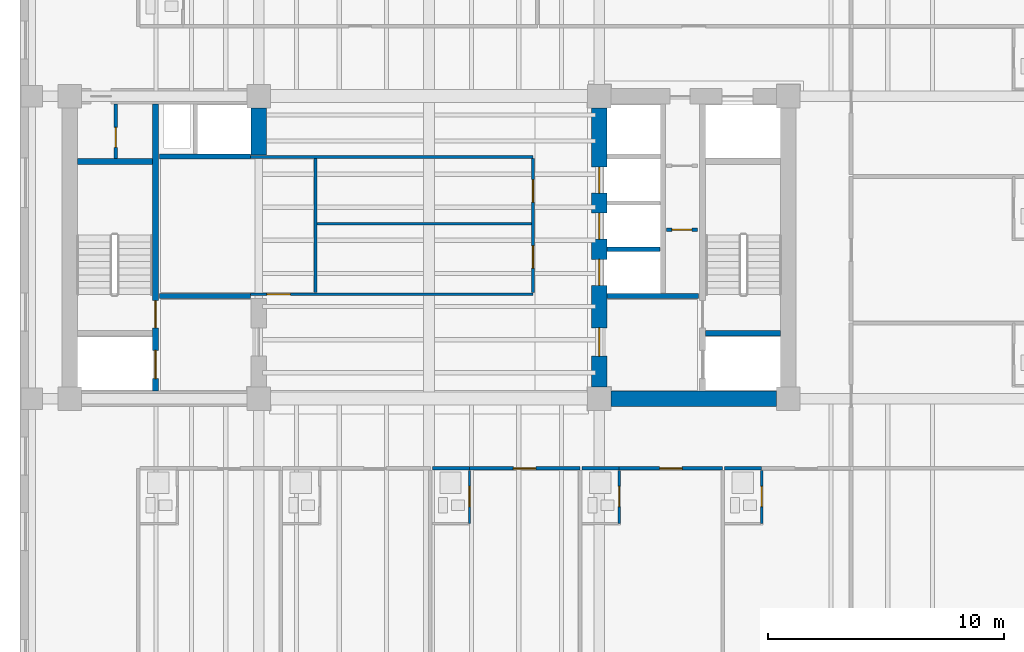
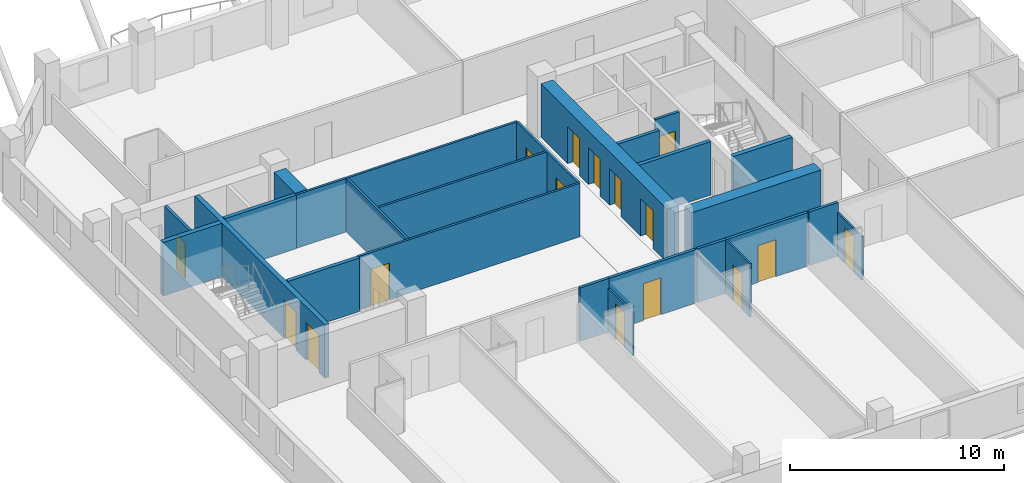
# One storey, part 6 of 12: 25 walls, 16 doors, 16 openings.
"""IFC4 building model written with IfcOpenShell, lengths in metres."""

from ifc_helpers import new_model, si_unit, direction, frame, frame_2d, origin, place, context, subcontext, project, spatial, rectangle, extrude, material, layer, layer_set, type_object, element, fill, save


model = new_model("IFC4")

# Units and contexts
model_context = context("Model", 3, precision=1e-05, world=origin(), true_north=direction((0.0, 1.0)))
body_context = subcontext(model_context, "Body", "Model", "MODEL_VIEW")
ifc_project = project(units=[si_unit("LENGTHUNIT", "METRE"), si_unit("AREAUNIT", "SQUARE_METRE"), si_unit("VOLUMEUNIT", "CUBIC_METRE"), si_unit("PLANEANGLEUNIT", "RADIAN"), si_unit("MASSUNIT", "GRAM", prefix="KILO")], contexts=[model_context])

# Site, building, storey
site_placement = place(None, origin())
site = spatial("IfcSite", under=ifc_project, at=site_placement, CompositionType="ELEMENT")
building_placement = place(site_placement, origin())
building = spatial("IfcBuilding", under=site, at=building_placement, Name="Kranthara Brick Stack", CompositionType="ELEMENT")
storey_placement = place(building_placement, frame((0.0, 0.0, 158.800048828125)))
storey = spatial("IfcBuildingStorey", under=building, at=storey_placement, Name="L40", CompositionType="ELEMENT", Elevation=158.800048828125)

# Wall, openings, doors
ifc_material_1 = material(Name="Concrete C50/60", Category="concrete")
ifc_layer_1 = layer(ifc_material_1, 0.25)
ifc_layer_set_1 = layer_set([ifc_layer_1], Name="Concrete C50/60")
wall_type_1 = type_object("IfcWallType", Name="WL-CORE-250", PredefinedType="SHEAR", material=ifc_layer_set_1)
wall_1_placement = place(storey_placement, frame((16.43505859375, 21.135009765625, 0.0), z_axis=(0.0, 0.0, 1.0), x_axis=(0.0, 1.0, 0.0)))
wall_1 = element("IfcWall", 1, at=wall_1_placement, inside=storey, type_object=wall_type_1, Name="L40 West Core Stair Bearing Spine Wall", PredefinedType="SHEAR", context=body_context, shape_type="SweptSolid", body=[
    extrude(rectangle(XDim=12.1298828125, YDim=0.25, at=frame_2d((6.06494140625, 0.0))), origin(), (0.0, 0.0, 1.0), 3.050048828125),
])
opening_1_placement = place(wall_1_placement, frame((0.514892578125, 0.0, 0.0)))
opening_1 = element("IfcOpeningElement", 2, at=opening_1_placement, cuts=wall_1, Name="Opening LD01", PredefinedType="OPENING", context=body_context, shape_type="SweptSolid", body=[
    extrude(rectangle(XDim=1.199951171875, YDim=2.14990234375, at=frame_2d((0.60009765625, 1.074951171875))), frame((0.0, 0.135009765625, 0.0), z_axis=(0.0, -1.0, 0.0), x_axis=(1.0, 0.0, 0.0)), (0.0, 0.0, 1.0), 0.27001953125),
])
opening_2_placement = place(wall_1_placement, frame((2.6650390625, 0.0, 0.0)))
opening_2 = element("IfcOpeningElement", 3, at=opening_2_placement, cuts=wall_1, Name="Opening D05", PredefinedType="OPENING", context=body_context, shape_type="SweptSolid", body=[
    extrude(rectangle(XDim=1.14990234375, YDim=2.14990234375, at=frame_2d((0.574951171875, 1.074951171875))), frame((0.0, 0.135009765625, 0.0), z_axis=(0.0, -1.0, 0.0), x_axis=(1.0, 0.0, 0.0)), (0.0, 0.0, 1.0), 0.27001953125),
])
ifc_material_2 = material(Name="Stainless steel sliding landing door", Category="steel")
door_type_1 = type_object("IfcDoorType", Name="DR-LD-FF1200", OperationType="DOUBLE_DOOR_SLIDING", PredefinedType="DOOR", material=ifc_material_2)
door_1_placement = place(opening_1_placement, origin())
door_1 = element("IfcDoor", 4, at=door_1_placement, inside=storey, type_object=door_type_1, Name="L40 Firefighting Lift FF-01 Landing Door", OperationType="DOUBLE_DOOR_SLIDING", OverallHeight=2.14990234375, OverallWidth=1.199951171875, PredefinedType="DOOR", context=body_context, shape_type="SweptSolid", body=[
    extrude(rectangle(XDim=1.199951171875, YDim=2.14990234375, at=frame_2d((0.60009765625, 1.074951171875))), frame((0.0, 0.02490234375, 0.0), z_axis=(0.0, -1.0, 0.0), x_axis=(1.0, 0.0, 0.0)), (0.0, 0.0, 1.0), 0.050048828125),
])
fill(opening_1, door_1)
ifc_material_3 = material(Name="Solid-core hardwood timber leaf in steel frame", Category="steel")
door_type_2 = type_object("IfcDoorType", Name="DR-ST-1150", OperationType="NOTDEFINED", PredefinedType="DOOR", material=ifc_material_3)
door_2_placement = place(opening_2_placement, origin())
door_2 = element("IfcDoor", 5, at=door_2_placement, inside=storey, type_object=door_type_2, Name="L40 Exit Stair ST01 Door", OperationType="SINGLE_SWING_RIGHT", OverallHeight=2.14990234375, OverallWidth=1.14990234375, PredefinedType="DOOR", context=body_context, shape_type="SweptSolid", body=[
    extrude(rectangle(XDim=1.14990234375, YDim=2.14990234375, at=frame_2d((0.574951171875, 1.074951171875))), frame((0.0, 0.02490234375, 0.0), z_axis=(0.0, -1.0, 0.0), x_axis=(1.0, 0.0, 0.0)), (0.0, 0.0, 1.0), 0.050048828125),
])
fill(opening_2, door_2)

# Walls
for number, where, z_axis, x_axis, name in (
    (6, (13.135009765625, 30.830078125, 0.0), (0.0, 0.0, 1.0), (1.0, 0.0, 0.0), "L40 West Stairwell Bearing Wall WST"),
    (7, (39.68994140625, 23.570068359375, 0.0), (0.0, 0.0, 1.0), (1.0, 0.0, 0.0), "L40 East Stairwell Bearing Wall EFF"),
):
    element("IfcWall", number, at=place(storey_placement, frame(where, z_axis=z_axis, x_axis=x_axis)), inside=storey, type_object=wall_type_1, Name=name, PredefinedType="SHEAR", context=body_context, shape_type="SweptSolid", body=[
        extrude(rectangle(XDim=3.175048828125, YDim=0.25, at=frame_2d((1.58740234375, 0.0))), origin(), (0.0, 0.0, 1.0), 3.050048828125),
    ])
ifc_material_4 = material(Name="Concrete C60/75", Category="concrete")
ifc_layer_2 = layer(ifc_material_4, 0.64990234375)
ifc_layer_set_2 = layer_set([ifc_layer_2], Name="Concrete C60/75")
wall_type_2 = type_object("IfcWallType", Name="WL-CORE-650", PredefinedType="SHEAR", material=ifc_layer_set_2)
wall_2_placement = place(storey_placement, frame((20.800048828125, 31.10009765625, 0.0), z_axis=(0.0, 0.0, 1.0), x_axis=(0.0, 1.0, 0.0)))
element("IfcWall", 8, at=wall_2_placement, inside=storey, type_object=wall_type_2, Name="L40 West Core High-Rise Lift Wall", PredefinedType="SHEAR", context=body_context, shape_type="SweptSolid", body=[
    extrude(rectangle(XDim=1.994873046875, YDim=0.64990234375, at=frame_2d((0.99755859375, 0.0))), origin(), (0.0, 0.0, 1.0), 3.050048828125),
])
wall_3_placement = place(storey_placement, frame((35.705078125, 20.800048828125, 0.0), z_axis=(0.0, 0.0, 1.0), x_axis=(1.0, 0.0, 0.0)))
element("IfcWall", 9, at=wall_3_placement, inside=storey, type_object=wall_type_2, Name="L40 East Core Shear Wall South", PredefinedType="SHEAR", context=body_context, shape_type="SweptSolid", body=[
    extrude(rectangle(XDim=6.989990234375, YDim=0.64990234375, at=frame_2d((3.4951171875, 0.0))), origin(), (0.0, 0.0, 1.0), 3.050048828125),
])

# Wall, openings, doors
wall_4_placement = place(storey_placement, frame((35.199951171875, 21.304931640625, 0.0), z_axis=(0.0, 0.0, 1.0), x_axis=(0.0, 1.0, 0.0)))
wall_4 = element("IfcWall", 10, at=wall_4_placement, inside=storey, type_object=wall_type_2, Name="L40 East Core Shear Wall West", PredefinedType="SHEAR", context=body_context, shape_type="SweptSolid", body=[
    extrude(rectangle(XDim=11.7900390625, YDim=0.64990234375, at=frame_2d((5.89501953125, 0.0))), origin(), (0.0, 0.0, 1.0), 3.050048828125),
])
opening_3_placement = place(wall_4_placement, frame((1.294921875, 0.0, 0.0)))
opening_3 = element("IfcOpeningElement", 11, at=opening_3_placement, cuts=wall_4, Name="Opening D06", PredefinedType="OPENING", context=body_context, shape_type="SweptSolid", body=[
    extrude(rectangle(XDim=1.199951171875, YDim=2.14990234375, at=frame_2d((0.60009765625, 1.074951171875))), frame((0.0, 0.3349609375, 0.0), z_axis=(0.0, -1.0, 0.0), x_axis=(1.0, 0.0, 0.0)), (0.0, 0.0, 1.0), 0.669921875),
])
opening_4_placement = place(wall_4_placement, frame((4.294921875, 0.0, 0.0)))
opening_4 = element("IfcOpeningElement", 12, at=opening_4_placement, cuts=wall_4, Name="Opening LD02", PredefinedType="OPENING", context=body_context, shape_type="SweptSolid", body=[
    extrude(rectangle(XDim=1.10009765625, YDim=2.10009765625, at=frame_2d((0.550048828125, 1.050048828125))), frame((0.0, 0.3349609375, 0.0), z_axis=(0.0, -1.0, 0.0), x_axis=(1.0, 0.0, 0.0)), (0.0, 0.0, 1.0), 0.669921875),
])
opening_5_placement = place(wall_4_placement, frame((6.2451171875, 0.0, 0.0)))
opening_5 = element("IfcOpeningElement", 13, at=opening_5_placement, cuts=wall_4, Name="Opening LD02", PredefinedType="OPENING", context=body_context, shape_type="SweptSolid", body=[
    extrude(rectangle(XDim=1.10009765625, YDim=2.10009765625, at=frame_2d((0.550048828125, 1.050048828125))), frame((0.0, 0.3349609375, 0.0), z_axis=(0.0, -1.0, 0.0), x_axis=(1.0, 0.0, 0.0)), (0.0, 0.0, 1.0), 0.669921875),
])
opening_6_placement = place(wall_4_placement, frame((8.195068359375, 0.0, 0.0)))
opening_6 = element("IfcOpeningElement", 14, at=opening_6_placement, cuts=wall_4, Name="Opening LD02", PredefinedType="OPENING", context=body_context, shape_type="SweptSolid", body=[
    extrude(rectangle(XDim=1.10009765625, YDim=2.10009765625, at=frame_2d((0.550048828125, 1.050048828125))), frame((0.0, 0.3349609375, 0.0), z_axis=(0.0, -1.0, 0.0), x_axis=(1.0, 0.0, 0.0)), (0.0, 0.0, 1.0), 0.669921875),
])
ifc_material_5 = material(Name="Solid-core hardwood timber leaf in steel frame", Category="steel")
door_type_3 = type_object("IfcDoorType", Name="DR-FFL-1200", OperationType="NOTDEFINED", PredefinedType="DOOR", material=ifc_material_5)
door_3_placement = place(opening_3_placement, origin())
door_3 = element("IfcDoor", 15, at=door_3_placement, inside=storey, type_object=door_type_3, Name="L40 East Firefighting Lobby Door", OperationType="SINGLE_SWING_RIGHT", OverallHeight=2.14990234375, OverallWidth=1.199951171875, PredefinedType="DOOR", context=body_context, shape_type="SweptSolid", body=[
    extrude(rectangle(XDim=1.199951171875, YDim=2.14990234375, at=frame_2d((0.60009765625, 1.074951171875))), frame((0.0, 0.02490234375, 0.0), z_axis=(0.0, -1.0, 0.0), x_axis=(1.0, 0.0, 0.0)), (0.0, 0.0, 1.0), 0.050048828125),
])
fill(opening_3, door_3)
ifc_material_6 = material(Name="Stainless steel sliding landing door", Category="steel")
door_type_4 = type_object("IfcDoorType", Name="DR-LD-PL1100", OperationType="DOUBLE_DOOR_SLIDING", PredefinedType="DOOR", material=ifc_material_6)
door_4_placement = place(opening_4_placement, origin())
door_4 = element("IfcDoor", 16, at=door_4_placement, inside=storey, type_object=door_type_4, Name="L40 PL-04 Lift Landing Door", OperationType="DOUBLE_DOOR_SLIDING", OverallHeight=2.10009765625, OverallWidth=1.10009765625, PredefinedType="DOOR", context=body_context, shape_type="SweptSolid", body=[
    extrude(rectangle(XDim=1.10009765625, YDim=2.10009765625, at=frame_2d((0.550048828125, 1.050048828125))), frame((0.0, 0.02490234375, 0.0), z_axis=(0.0, -1.0, 0.0), x_axis=(1.0, 0.0, 0.0)), (0.0, 0.0, 1.0), 0.050048828125),
])
fill(opening_4, door_4)
door_5_placement = place(opening_5_placement, origin())
door_5 = element("IfcDoor", 17, at=door_5_placement, inside=storey, type_object=door_type_4, Name="L40 PL-05 Lift Landing Door", OperationType="DOUBLE_DOOR_SLIDING", OverallHeight=2.10009765625, OverallWidth=1.10009765625, PredefinedType="DOOR", context=body_context, shape_type="SweptSolid", body=[
    extrude(rectangle(XDim=1.10009765625, YDim=2.10009765625, at=frame_2d((0.550048828125, 1.050048828125))), frame((0.0, 0.02490234375, 0.0), z_axis=(0.0, -1.0, 0.0), x_axis=(1.0, 0.0, 0.0)), (0.0, 0.0, 1.0), 0.050048828125),
])
fill(opening_5, door_5)
door_6_placement = place(opening_6_placement, origin())
door_6 = element("IfcDoor", 18, at=door_6_placement, inside=storey, type_object=door_type_4, Name="L40 PL-06 Lift Landing Door", OperationType="DOUBLE_DOOR_SLIDING", OverallHeight=2.10009765625, OverallWidth=1.10009765625, PredefinedType="DOOR", context=body_context, shape_type="SweptSolid", body=[
    extrude(rectangle(XDim=1.10009765625, YDim=2.10009765625, at=frame_2d((0.550048828125, 1.050048828125))), frame((0.0, 0.02490234375, 0.0), z_axis=(0.0, -1.0, 0.0), x_axis=(1.0, 0.0, 0.0)), (0.0, 0.0, 1.0), 0.050048828125),
])
fill(opening_6, door_6)

# Wall, opening, door
ifc_material_7 = material(Name="Moisture-resistant wet-room partition", Category="other")
ifc_layer_3 = layer(ifc_material_7, 0.10009765625)
ifc_layer_set_3 = layer_set([ifc_layer_3], Name="Moisture-resistant wet-room partition")
wall_type_3 = type_object("IfcWallType", Name="WL-PART-100", PredefinedType="PARTITIONING", material=ifc_layer_set_3)
wall_5_placement = place(storey_placement, frame((29.7109375, 15.52001953125, 0.0), z_axis=(0.0, 0.0, 1.0), x_axis=(0.0, 1.0, 0.0)))
wall_5 = element("IfcWall", 19, at=wall_5_placement, inside=storey, type_object=wall_type_3, Name="L40 Interior Partition 022", PredefinedType="PARTITIONING", context=body_context, shape_type="SweptSolid", body=[
    extrude(rectangle(XDim=2.25, YDim=0.10009765625, at=frame_2d((1.125, 0.0))), origin(), (0.0, 0.0, 1.0), 2.48486328125),
])
opening_7_placement = place(wall_5_placement, frame((0.719970703125, 0.0, 0.0)))
opening_7 = element("IfcOpeningElement", 20, at=opening_7_placement, cuts=wall_5, Name="Opening D17", PredefinedType="OPENING", context=body_context, shape_type="SweptSolid", body=[
    extrude(rectangle(XDim=0.85009765625, YDim=2.050048828125, at=frame_2d((0.425048828125, 1.02490234375))), frame((0.0, 0.06005859375, 0.0), z_axis=(0.0, -1.0, 0.0), x_axis=(1.0, 0.0, 0.0)), (0.0, 0.0, 1.0), 0.1201171875),
])
ifc_material_8 = material(Name="Solid-core hardwood timber leaf in steel frame", Category="steel")
door_type_5 = type_object("IfcDoorType", Name="DR-WET-850", OperationType="NOTDEFINED", PredefinedType="DOOR", material=ifc_material_8)
door_7_placement = place(opening_7_placement, origin())
door_7 = element("IfcDoor", 21, at=door_7_placement, inside=storey, type_object=door_type_5, Name="L40 Key 03 En-Suite Door 11", OperationType="SINGLE_SWING_LEFT", OverallHeight=2.050048828125, OverallWidth=0.85009765625, PredefinedType="DOOR", context=body_context, shape_type="SweptSolid", body=[
    extrude(rectangle(XDim=0.85009765625, YDim=2.050048828125, at=frame_2d((0.425048828125, 1.02490234375))), frame((0.0, 0.02490234375, 0.0), z_axis=(0.0, -1.0, 0.0), x_axis=(1.0, 0.0, 0.0)), (0.0, 0.0, 1.0), 0.050048828125),
])
fill(opening_7, door_7)

wall_6_placement = place(storey_placement, frame((36.04296875, 15.52001953125, 0.0), z_axis=(0.0, 0.0, 1.0), x_axis=(0.0, 1.0, 0.0)))
wall_6 = element("IfcWall", 22, at=wall_6_placement, inside=storey, type_object=wall_type_3, Name="L40 Interior Partition 027", PredefinedType="PARTITIONING", context=body_context, shape_type="SweptSolid", body=[
    extrude(rectangle(XDim=2.25, YDim=0.10009765625, at=frame_2d((1.125, 0.0))), origin(), (0.0, 0.0, 1.0), 3.050048828125),
])
opening_8_placement = place(wall_6_placement, frame((0.719970703125, 0.0, 0.0)))
opening_8 = element("IfcOpeningElement", 23, at=opening_8_placement, cuts=wall_6, Name="Opening D17", PredefinedType="OPENING", context=body_context, shape_type="SweptSolid", body=[
    extrude(rectangle(XDim=0.85009765625, YDim=2.050048828125, at=frame_2d((0.425048828125, 1.02490234375))), frame((0.0, 0.06005859375, 0.0), z_axis=(0.0, -1.0, 0.0), x_axis=(1.0, 0.0, 0.0)), (0.0, 0.0, 1.0), 0.1201171875),
])
door_8_placement = place(opening_8_placement, origin())
door_8 = element("IfcDoor", 24, at=door_8_placement, inside=storey, type_object=door_type_5, Name="L40 Key 04 En-Suite Door 13", OperationType="SINGLE_SWING_LEFT", OverallHeight=2.050048828125, OverallWidth=0.85009765625, PredefinedType="DOOR", context=body_context, shape_type="SweptSolid", body=[
    extrude(rectangle(XDim=0.85009765625, YDim=2.050048828125, at=frame_2d((0.425048828125, 1.02490234375))), frame((0.0, 0.02490234375, 0.0), z_axis=(0.0, -1.0, 0.0), x_axis=(1.0, 0.0, 0.0)), (0.0, 0.0, 1.0), 0.050048828125),
])
fill(opening_8, door_8)

wall_7_placement = place(storey_placement, frame((42.072998046875, 15.52001953125, 0.0), z_axis=(0.0, 0.0, 1.0), x_axis=(0.0, 1.0, 0.0)))
wall_7 = element("IfcWall", 25, at=wall_7_placement, inside=storey, type_object=wall_type_3, Name="L40 Interior Partition 032", PredefinedType="PARTITIONING", context=body_context, shape_type="SweptSolid", body=[
    extrude(rectangle(XDim=2.25, YDim=0.10009765625, at=frame_2d((1.125, 0.0))), origin(), (0.0, 0.0, 1.0), 2.48486328125),
])
opening_9_placement = place(wall_7_placement, frame((0.719970703125, 0.0, 0.0)))
opening_9 = element("IfcOpeningElement", 26, at=opening_9_placement, cuts=wall_7, Name="Opening D17", PredefinedType="OPENING", context=body_context, shape_type="SweptSolid", body=[
    extrude(rectangle(XDim=0.85009765625, YDim=2.050048828125, at=frame_2d((0.425048828125, 1.02490234375))), frame((0.0, 0.06005859375, 0.0), z_axis=(0.0, -1.0, 0.0), x_axis=(1.0, 0.0, 0.0)), (0.0, 0.0, 1.0), 0.1201171875),
])
door_9_placement = place(opening_9_placement, origin())
door_9 = element("IfcDoor", 27, at=door_9_placement, inside=storey, type_object=door_type_5, Name="L40 Key 05 En-Suite Door 15", OperationType="SINGLE_SWING_LEFT", OverallHeight=2.050048828125, OverallWidth=0.85009765625, PredefinedType="DOOR", context=body_context, shape_type="SweptSolid", body=[
    extrude(rectangle(XDim=0.85009765625, YDim=2.050048828125, at=frame_2d((0.425048828125, 1.02490234375))), frame((0.0, 0.02490234375, 0.0), z_axis=(0.0, -1.0, 0.0), x_axis=(1.0, 0.0, 0.0)), (0.0, 0.0, 1.0), 0.050048828125),
])
fill(opening_9, door_9)

ifc_material_9 = material(Name="Acoustic gypsum plasterboard partition", Category="other")
ifc_layer_4 = layer(ifc_material_9, 0.1201171875)
ifc_layer_set_4 = layer_set([ifc_layer_4], Name="Acoustic gypsum plasterboard partition")
wall_type_4 = type_object("IfcWallType", Name="WL-PART-120", PredefinedType="PARTITIONING", material=ifc_layer_set_4)
wall_8_placement = place(storey_placement, frame((20.4599609375, 25.219970703125, 0.0), z_axis=(0.0, 0.0, 1.0), x_axis=(1.0, 0.0, 0.0)))
wall_8 = element("IfcWall", 28, at=wall_8_placement, inside=storey, type_object=wall_type_4, Name="L40 Interior Partition 004", PredefinedType="PARTITIONING", context=body_context, shape_type="SweptSolid", body=[
    extrude(rectangle(XDim=11.93994140625, YDim=0.1201171875, at=frame_2d((5.969970703125, 0.0))), origin(), (0.0, 0.0, 1.0), 3.050048828125),
])
opening_10_placement = place(wall_8_placement, frame((0.679931640625, 0.0, 0.0)))
opening_10 = element("IfcOpeningElement", 29, at=opening_10_placement, cuts=wall_8, Name="Opening D13", PredefinedType="OPENING", context=body_context, shape_type="SweptSolid", body=[
    extrude(rectangle(XDim=1.0, YDim=2.10009765625, at=frame_2d((0.5, 1.050048828125))), frame((0.0, 0.070068359375, 0.0), z_axis=(0.0, -1.0, 0.0), x_axis=(1.0, 0.0, 0.0)), (0.0, 0.0, 1.0), 0.14013671875),
])
ifc_material_10 = material(Name="Solid-core hardwood timber leaf in steel frame", Category="steel")
door_type_6 = type_object("IfcDoorType", Name="DR-INT-1000", OperationType="NOTDEFINED", PredefinedType="DOOR", material=ifc_material_10)
door_10_placement = place(opening_10_placement, origin())
door_10 = element("IfcDoor", 30, at=door_10_placement, inside=storey, type_object=door_type_6, Name="L40 Hotel Study Door 04", OperationType="SINGLE_SWING_RIGHT", OverallHeight=2.10009765625, OverallWidth=1.0, PredefinedType="DOOR", context=body_context, shape_type="SweptSolid", body=[
    extrude(rectangle(XDim=1.0, YDim=2.10009765625, at=frame_2d((0.5, 1.050048828125))), frame((0.0, 0.02490234375, 0.0), z_axis=(0.0, -1.0, 0.0), x_axis=(1.0, 0.0, 0.0)), (0.0, 0.0, 1.0), 0.050048828125),
])
fill(opening_10, door_10)

# Wall
wall_9_placement = place(storey_placement, frame((20.4599609375, 31.02001953125, 0.0), z_axis=(0.0, 0.0, 1.0), x_axis=(1.0, 0.0, 0.0)))
element("IfcWall", 31, at=wall_9_placement, inside=storey, type_object=wall_type_4, Name="L40 Interior Partition 005", PredefinedType="PARTITIONING", context=body_context, shape_type="SweptSolid", body=[
    extrude(rectangle(XDim=11.93994140625, YDim=0.1201171875, at=frame_2d((5.969970703125, 0.0))), origin(), (0.0, 0.0, 1.0), 3.050048828125),
])

# Wall, openings, doors
wall_10_placement = place(storey_placement, frame((32.39990234375, 25.284912109375, 0.0), z_axis=(0.0, 0.0, 1.0), x_axis=(0.0, 1.0, 0.0)))
wall_10 = element("IfcWall", 32, at=wall_10_placement, inside=storey, type_object=wall_type_4, Name="L40 Interior Partition 006", PredefinedType="PARTITIONING", context=body_context, shape_type="SweptSolid", body=[
    extrude(rectangle(XDim=5.670166015625, YDim=0.1201171875, at=frame_2d((2.8349609375, 0.0))), origin(), (0.0, 0.0, 1.0), 3.050048828125),
])
opening_11_placement = place(wall_10_placement, frame((1.034912109375, 0.0, 0.0)))
opening_11 = element("IfcOpeningElement", 33, at=opening_11_placement, cuts=wall_10, Name="Opening D14", PredefinedType="OPENING", context=body_context, shape_type="SweptSolid", body=[
    extrude(rectangle(XDim=0.949951171875, YDim=2.10009765625, at=frame_2d((0.47509765625, 1.050048828125))), frame((0.0, 0.070068359375, 0.0), z_axis=(0.0, -1.0, 0.0), x_axis=(1.0, 0.0, 0.0)), (0.0, 0.0, 1.0), 0.14013671875),
])
opening_12_placement = place(wall_10_placement, frame((3.8349609375, 0.0, 0.0)))
opening_12 = element("IfcOpeningElement", 34, at=opening_12_placement, cuts=wall_10, Name="Opening D14", PredefinedType="OPENING", context=body_context, shape_type="SweptSolid", body=[
    extrude(rectangle(XDim=0.949951171875, YDim=2.10009765625, at=frame_2d((0.47509765625, 1.050048828125))), frame((0.0, 0.070068359375, 0.0), z_axis=(0.0, -1.0, 0.0), x_axis=(1.0, 0.0, 0.0)), (0.0, 0.0, 1.0), 0.14013671875),
])
ifc_material_11 = material(Name="Solid-core hardwood timber leaf in steel frame", Category="steel")
door_type_7 = type_object("IfcDoorType", Name="DR-INT-950", OperationType="NOTDEFINED", PredefinedType="DOOR", material=ifc_material_11)
door_11_placement = place(opening_11_placement, origin())
door_11 = element("IfcDoor", 35, at=door_11_placement, inside=storey, type_object=door_type_7, Name="L40 Housekeeping Linen Door 05", OperationType="SINGLE_SWING_LEFT", OverallHeight=2.10009765625, OverallWidth=0.949951171875, PredefinedType="DOOR", context=body_context, shape_type="SweptSolid", body=[
    extrude(rectangle(XDim=0.949951171875, YDim=2.10009765625, at=frame_2d((0.47509765625, 1.050048828125))), frame((0.0, 0.02490234375, 0.0), z_axis=(0.0, -1.0, 0.0), x_axis=(1.0, 0.0, 0.0)), (0.0, 0.0, 1.0), 0.050048828125),
])
fill(opening_11, door_11)
door_12_placement = place(opening_12_placement, origin())
door_12 = element("IfcDoor", 36, at=door_12_placement, inside=storey, type_object=door_type_7, Name="L40 Pantry Door 06", OperationType="SINGLE_SWING_RIGHT", OverallHeight=2.10009765625, OverallWidth=0.949951171875, PredefinedType="DOOR", context=body_context, shape_type="SweptSolid", body=[
    extrude(rectangle(XDim=0.949951171875, YDim=2.10009765625, at=frame_2d((0.47509765625, 1.050048828125))), frame((0.0, 0.02490234375, 0.0), z_axis=(0.0, -1.0, 0.0), x_axis=(1.0, 0.0, 0.0)), (0.0, 0.0, 1.0), 0.050048828125),
])
fill(opening_12, door_12)

# Walls
wall_11_placement = place(storey_placement, frame((23.199951171875, 25.284912109375, 0.0), z_axis=(0.0, 0.0, 1.0), x_axis=(0.0, 1.0, 0.0)))
element("IfcWall", 37, at=wall_11_placement, inside=storey, type_object=wall_type_4, Name="L40 Interior Partition 007", PredefinedType="PARTITIONING", context=body_context, shape_type="SweptSolid", body=[
    extrude(rectangle(XDim=5.670166015625, YDim=0.1201171875, at=frame_2d((2.8349609375, 0.0))), origin(), (0.0, 0.0, 1.0), 3.050048828125),
])
wall_12_placement = place(storey_placement, frame((23.264892578125, 28.199951171875, 0.0), z_axis=(0.0, 0.0, 1.0), x_axis=(1.0, 0.0, 0.0)))
element("IfcWall", 38, at=wall_12_placement, inside=storey, type_object=wall_type_4, Name="L40 Interior Partition 008", PredefinedType="PARTITIONING", context=body_context, shape_type="SweptSolid", body=[
    extrude(rectangle(XDim=9.070068359375, YDim=0.1201171875, at=frame_2d((4.53515625, 0.0))), origin(), (0.0, 0.0, 1.0), 3.050048828125),
])

# Wall, opening, door
ifc_material_12 = material(Name="Fire-rated gypsum board partition", Category="other")
ifc_layer_5 = layer(ifc_material_12, 0.14990234375)
ifc_layer_set_5 = layer_set([ifc_layer_5], Name="Fire-rated gypsum board partition")
wall_type_5 = type_object("IfcWallType", Name="WL-PART-150", PredefinedType="PARTITIONING", material=ifc_layer_set_5)
wall_13_placement = place(storey_placement, frame((14.75, 30.9599609375, 0.0), z_axis=(0.0, 0.0, 1.0), x_axis=(0.0, 1.0, 0.0)))
wall_13 = element("IfcWall", 39, at=wall_13_placement, inside=storey, type_object=wall_type_5, Name="L40 Interior Partition 001", PredefinedType="PARTITIONING", context=body_context, shape_type="SweptSolid", body=[
    extrude(rectangle(XDim=2.31005859375, YDim=0.14990234375, at=frame_2d((1.155029296875, 0.0))), origin(), (0.0, 0.0, 1.0), 3.050048828125),
])
opening_13_placement = place(wall_13_placement, frame((0.469970703125, 0.0, 0.0)))
opening_13 = element("IfcOpeningElement", 40, at=opening_13_placement, cuts=wall_13, Name="Opening D10", PredefinedType="OPENING", context=body_context, shape_type="SweptSolid", body=[
    extrude(rectangle(XDim=0.85009765625, YDim=2.02001953125, at=frame_2d((0.425048828125, 1.010009765625))), frame((0.0, 0.0849609375, 0.0), z_axis=(0.0, -1.0, 0.0), x_axis=(1.0, 0.0, 0.0)), (0.0, 0.0, 1.0), 0.169921875),
])
ifc_material_13 = material(Name="Solid-core hardwood timber leaf in steel frame", Category="steel")
door_type_8 = type_object("IfcDoorType", Name="DR-RSR-850", OperationType="NOTDEFINED", PredefinedType="DOOR", material=ifc_material_13)
door_13_placement = place(opening_13_placement, origin())
door_13 = element("IfcDoor", 41, at=door_13_placement, inside=storey, type_object=door_type_8, Name="L40 Service Interconnect 01", OperationType="SINGLE_SWING_LEFT", OverallHeight=2.02001953125, OverallWidth=0.85009765625, PredefinedType="DOOR", context=body_context, shape_type="SweptSolid", body=[
    extrude(rectangle(XDim=0.85009765625, YDim=2.02001953125, at=frame_2d((0.425048828125, 1.010009765625))), frame((0.0, 0.02490234375, 0.0), z_axis=(0.0, -1.0, 0.0), x_axis=(1.0, 0.0, 0.0)), (0.0, 0.0, 1.0), 0.050048828125),
])
fill(opening_13, door_13)

wall_14_placement = place(storey_placement, frame((38.050048828125, 27.949951171875, 0.0), z_axis=(0.0, 0.0, 1.0), x_axis=(1.0, 0.0, 0.0)))
wall_14 = element("IfcWall", 42, at=wall_14_placement, inside=storey, type_object=wall_type_5, Name="L40 Interior Partition 002", PredefinedType="PARTITIONING", context=body_context, shape_type="SweptSolid", body=[
    extrude(rectangle(XDim=1.300048828125, YDim=0.14990234375, at=frame_2d((0.64990234375, 0.0))), origin(), (0.0, 0.0, 1.0), 3.050048828125),
])
opening_14_placement = place(wall_14_placement, frame((0.219970703125, 0.0, 0.0)))
opening_14 = element("IfcOpeningElement", 43, at=opening_14_placement, cuts=wall_14, Name="Opening D10", PredefinedType="OPENING", context=body_context, shape_type="SweptSolid", body=[
    extrude(rectangle(XDim=0.85009765625, YDim=2.02001953125, at=frame_2d((0.425048828125, 1.010009765625))), frame((0.0, 0.0849609375, 0.0), z_axis=(0.0, -1.0, 0.0), x_axis=(1.0, 0.0, 0.0)), (0.0, 0.0, 1.0), 0.169921875),
])
door_14_placement = place(opening_14_placement, origin())
door_14 = element("IfcDoor", 44, at=door_14_placement, inside=storey, type_object=door_type_8, Name="L40 Riser Door 1 02", OperationType="SINGLE_SWING_RIGHT", OverallHeight=2.02001953125, OverallWidth=0.85009765625, PredefinedType="DOOR", context=body_context, shape_type="SweptSolid", body=[
    extrude(rectangle(XDim=0.85009765625, YDim=2.02001953125, at=frame_2d((0.425048828125, 1.010009765625))), frame((0.0, 0.02490234375, 0.0), z_axis=(0.0, -1.0, 0.0), x_axis=(1.0, 0.0, 0.0)), (0.0, 0.0, 1.0), 0.050048828125),
])
fill(opening_14, door_14)

# Wall
wall_15_placement = place(storey_placement, frame((28.14111328125, 17.85009765625, 0.0), z_axis=(0.0, 0.0, 1.0), x_axis=(1.0, 0.0, 0.0)))
element("IfcWall", 45, at=wall_15_placement, inside=storey, type_object=wall_type_5, Name="L40 Interior Partition 020", PredefinedType="PARTITIONING", context=body_context, shape_type="SweptSolid", body=[
    extrude(rectangle(XDim=1.56982421875, YDim=0.14990234375, at=frame_2d((0.784912109375, 0.0))), origin(), (0.0, 0.0, 1.0), 3.050048828125),
])

# Wall, opening, door
wall_16_placement = place(storey_placement, frame((29.7109375, 17.85009765625, 0.0), z_axis=(0.0, 0.0, 1.0), x_axis=(1.0, 0.0, 0.0)))
wall_16 = element("IfcWall", 46, at=wall_16_placement, inside=storey, type_object=wall_type_5, Name="L40 Interior Partition 021", PredefinedType="PARTITIONING", context=body_context, shape_type="SweptSolid", body=[
    extrude(rectangle(XDim=4.68212890625, YDim=0.14990234375, at=frame_2d((2.341064453125, 0.0))), origin(), (0.0, 0.0, 1.0), 3.050048828125),
])
opening_15_placement = place(wall_16_placement, frame((1.861083984375, 0.0, 0.0)))
opening_15 = element("IfcOpeningElement", 47, at=opening_15_placement, cuts=wall_16, Name="Opening D09", PredefinedType="OPENING", context=body_context, shape_type="SweptSolid", body=[
    extrude(rectangle(XDim=0.949951171875, YDim=2.10009765625, at=frame_2d((0.47509765625, 1.050048828125))), frame((0.0, 0.0849609375, 0.0), z_axis=(0.0, -1.0, 0.0), x_axis=(1.0, 0.0, 0.0)), (0.0, 0.0, 1.0), 0.169921875),
])
ifc_material_14 = material(Name="Solid-core hardwood timber leaf in steel frame", Category="steel")
door_type_9 = type_object("IfcDoorType", Name="DR-FD-950", OperationType="NOTDEFINED", PredefinedType="DOOR", material=ifc_material_14)
door_15_placement = place(opening_15_placement, origin())
door_15 = element("IfcDoor", 48, at=door_15_placement, inside=storey, type_object=door_type_9, Name="L40 Key 03 Entry 12", OperationType="SINGLE_SWING_RIGHT", OverallHeight=2.10009765625, OverallWidth=0.949951171875, PredefinedType="DOOR", context=body_context, shape_type="SweptSolid", body=[
    extrude(rectangle(XDim=0.949951171875, YDim=2.10009765625, at=frame_2d((0.47509765625, 1.050048828125))), frame((0.0, 0.02490234375, 0.0), z_axis=(0.0, -1.0, 0.0), x_axis=(1.0, 0.0, 0.0)), (0.0, 0.0, 1.0), 0.050048828125),
])
fill(opening_15, door_15)

# Wall
wall_17_placement = place(storey_placement, frame((34.472900390625, 17.85009765625, 0.0), z_axis=(0.0, 0.0, 1.0), x_axis=(1.0, 0.0, 0.0)))
element("IfcWall", 49, at=wall_17_placement, inside=storey, type_object=wall_type_5, Name="L40 Interior Partition 025", PredefinedType="PARTITIONING", context=body_context, shape_type="SweptSolid", body=[
    extrude(rectangle(XDim=1.570068359375, YDim=0.14990234375, at=frame_2d((0.78515625, 0.0))), origin(), (0.0, 0.0, 1.0), 3.050048828125),
])

# Wall, opening, door
wall_18_placement = place(storey_placement, frame((36.04296875, 17.85009765625, 0.0), z_axis=(0.0, 0.0, 1.0), x_axis=(1.0, 0.0, 0.0)))
wall_18 = element("IfcWall", 50, at=wall_18_placement, inside=storey, type_object=wall_type_5, Name="L40 Interior Partition 026", PredefinedType="PARTITIONING", context=body_context, shape_type="SweptSolid", body=[
    extrude(rectangle(XDim=4.380126953125, YDim=0.14990234375, at=frame_2d((2.18994140625, 0.0))), origin(), (0.0, 0.0, 1.0), 3.050048828125),
])
opening_16_placement = place(wall_18_placement, frame((1.7099609375, 0.0, 0.0)))
opening_16 = element("IfcOpeningElement", 51, at=opening_16_placement, cuts=wall_18, Name="Opening D09", PredefinedType="OPENING", context=body_context, shape_type="SweptSolid", body=[
    extrude(rectangle(XDim=0.949951171875, YDim=2.10009765625, at=frame_2d((0.47509765625, 1.050048828125))), frame((0.0, 0.0849609375, 0.0), z_axis=(0.0, -1.0, 0.0), x_axis=(1.0, 0.0, 0.0)), (0.0, 0.0, 1.0), 0.169921875),
])
door_16_placement = place(opening_16_placement, origin())
door_16 = element("IfcDoor", 52, at=door_16_placement, inside=storey, type_object=door_type_9, Name="L40 Key 04 Entry 14", OperationType="SINGLE_SWING_RIGHT", OverallHeight=2.10009765625, OverallWidth=0.949951171875, PredefinedType="DOOR", context=body_context, shape_type="SweptSolid", body=[
    extrude(rectangle(XDim=0.949951171875, YDim=2.10009765625, at=frame_2d((0.47509765625, 1.050048828125))), frame((0.0, 0.02490234375, 0.0), z_axis=(0.0, -1.0, 0.0), x_axis=(1.0, 0.0, 0.0)), (0.0, 0.0, 1.0), 0.050048828125),
])
fill(opening_16, door_16)

# Walls
wall_19_placement = place(storey_placement, frame((40.5029296875, 17.85009765625, 0.0), z_axis=(0.0, 0.0, 1.0), x_axis=(1.0, 0.0, 0.0)))
element("IfcWall", 53, at=wall_19_placement, inside=storey, type_object=wall_type_5, Name="L40 Interior Partition 030", PredefinedType="PARTITIONING", context=body_context, shape_type="SweptSolid", body=[
    extrude(rectangle(XDim=1.570068359375, YDim=0.14990234375, at=frame_2d((0.78515625, 0.0))), origin(), (0.0, 0.0, 1.0), 3.050048828125),
])
ifc_material_15 = material(Name="Gypsum plasterboard on acoustic twin stud", Category="other")
ifc_layer_6 = layer(ifc_material_15, 0.179931640625)
ifc_layer_set_6 = layer_set([ifc_layer_6], Name="Gypsum plasterboard on acoustic twin stud")
wall_type_6 = type_object("IfcWallType", Name="WL-PART-180", PredefinedType="PARTITIONING", material=ifc_layer_set_6)
wall_20_placement = place(storey_placement, frame((35.534912109375, 27.1201171875, 0.0), z_axis=(0.0, 0.0, 1.0), x_axis=(1.0, 0.0, 0.0)))
element("IfcWall", 54, at=wall_20_placement, inside=storey, type_object=wall_type_6, Name="L40 East Hoistway Wall EH1", PredefinedType="PARTITIONING", context=body_context, shape_type="SweptSolid", body=[
    extrude(rectangle(XDim=2.2451171875, YDim=0.179931640625, at=frame_2d((1.12255859375, 0.0))), origin(), (0.0, 0.0, 1.0), 3.050048828125),
])
ifc_material_16 = material(Name="Concrete C40/50", Category="concrete")
ifc_layer_7 = layer(ifc_material_16, 0.199951171875)
ifc_layer_set_7 = layer_set([ifc_layer_7], Name="Concrete C40/50")
wall_type_7 = type_object("IfcWallType", Name="WL-PART-200", PredefinedType="SOLIDWALL", material=ifc_layer_set_7)
for number, where, z_axis, x_axis, name in (
    (55, (16.60009765625, 25.14990234375, 0.0), (0.0, 0.0, 1.0), (1.0, 0.0, 0.0), "L40 West Core Cross Wall WFL"),
    (56, (16.60009765625, 31.050048828125, 0.0), (0.0, 0.0, 1.0), (1.0, 0.0, 0.0), "L40 West Core Cross Wall WH4"),
):
    element("IfcWall", number, at=place(storey_placement, frame(where, z_axis=z_axis, x_axis=x_axis)), inside=storey, type_object=wall_type_7, Name=name, PredefinedType="SOLIDWALL", context=body_context, shape_type="SweptSolid", body=[
        extrude(rectangle(XDim=3.849853515625, YDim=0.199951171875, at=frame_2d((1.9248046875, 0.0))), origin(), (0.0, 0.0, 1.0), 3.050048828125),
    ])
wall_21_placement = place(storey_placement, frame((35.534912109375, 25.14990234375, 0.0), z_axis=(0.0, 0.0, 1.0), x_axis=(1.0, 0.0, 0.0)))
element("IfcWall", 57, at=wall_21_placement, inside=storey, type_object=wall_type_7, Name="L40 East Core Cross Wall EFL", PredefinedType="SOLIDWALL", context=body_context, shape_type="SweptSolid", body=[
    extrude(rectangle(XDim=3.864990234375, YDim=0.199951171875, at=frame_2d((1.9326171875, 0.0))), origin(), (0.0, 0.0, 1.0), 3.050048828125),
])

save(model, "model.ifc")
